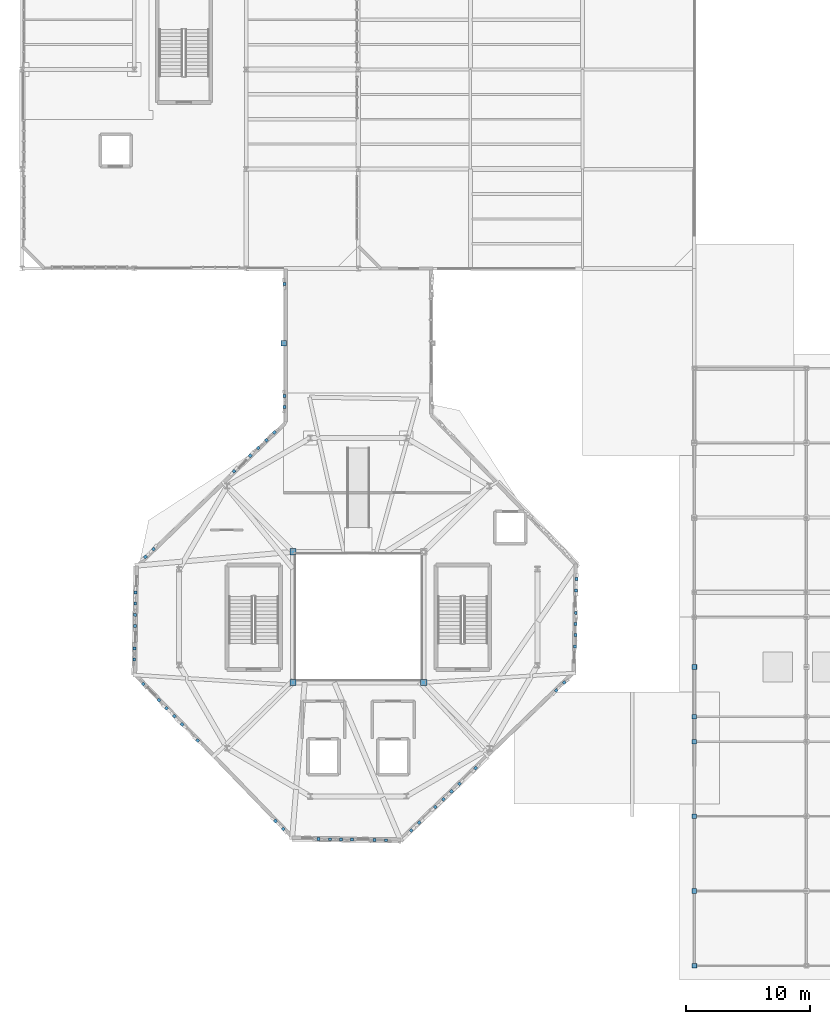
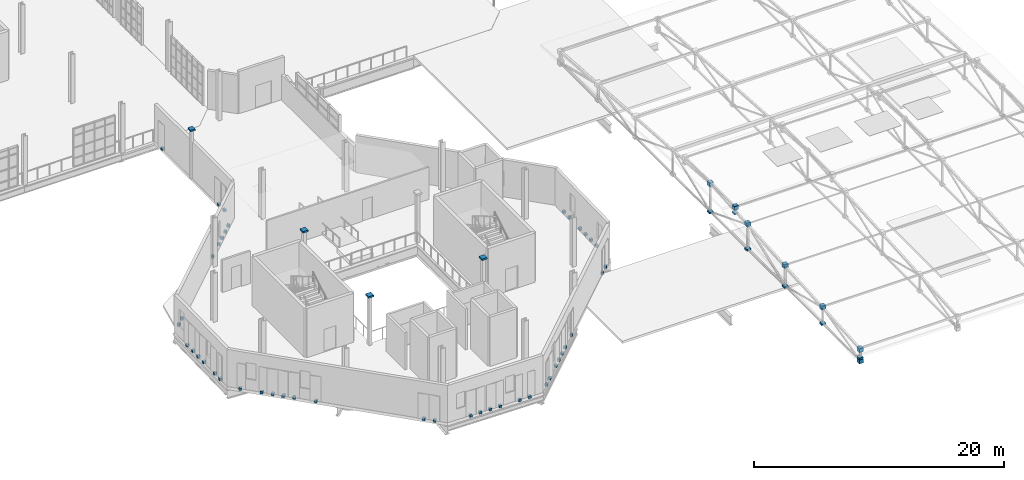
# One storey, part 77 of 85: 65 discrete accessories.
"""IFC4 building model written with IfcOpenShell, lengths in metres."""

from ifc_helpers import new_model, si_unit, direction, frame, origin, place, context, subcontext, project, spatial, polyline, outline, extrude, material, type_object, element, save


model = new_model("IFC4")

# Units and contexts
model_context = context("Model", 3, precision=1e-05, world=origin(), true_north=direction((0.0, 1.0)))
body_context = subcontext(model_context, "Body", "Model", "MODEL_VIEW")
ifc_project = project(units=[si_unit("LENGTHUNIT", "METRE"), si_unit("AREAUNIT", "SQUARE_METRE"), si_unit("VOLUMEUNIT", "CUBIC_METRE"), si_unit("PLANEANGLEUNIT", "RADIAN"), si_unit("MASSUNIT", "GRAM", prefix="KILO"), si_unit("THERMODYNAMICTEMPERATUREUNIT", "KELVIN"), si_unit("POWERUNIT", "WATT")], contexts=[model_context])

# Site, building, storey
site_placement = place(None, origin())
site = spatial("IfcSite", under=ifc_project, at=site_placement, CompositionType="ELEMENT")
building_placement = place(site_placement, origin())
building = spatial("IfcBuilding", under=site, at=building_placement, Name="Zelmaris Science Centre", CompositionType="ELEMENT")
storey_placement = place(building_placement, frame((0.0, 0.0, 20.39990234375)))
storey = spatial("IfcBuildingStorey", under=building, at=storey_placement, Name="L04", CompositionType="ELEMENT", Elevation=20.39990234375)

# Discrete accessories
ifc_material_1 = material(Name="Galvanised steel ASTM A500 Grade B", Category="steel")
discrete_accessory_type_1 = type_object("IfcDiscreteAccessoryType", Name="Facade Bracket BK-01", PredefinedType="BRACKET", material=ifc_material_1)
discrete_accessory_1_placement = place(storey_placement, frame((0.0, 0.0, -0.139892578125)))
element("IfcDiscreteAccessory", 1, at=discrete_accessory_1_placement, inside=storey, type_object=discrete_accessory_type_1, Name="L04 Facade anchorage bracket 177", PredefinedType="BRACKET", context=body_context, shape_type="SweptSolid", body=[
    extrude(outline(polyline([(98.402099609375, 39.17529296875), (98.39794921875, 38.935302734375), (98.62939453125, 38.93115234375), (98.6337890625, 39.171142578125), (98.402099609375, 39.17529296875)])), origin(), (0.0, 0.0, 1.0), 0.239990234375),
])
discrete_accessory_2_placement = place(storey_placement, frame((0.0, 0.0, -0.139892578125)))
element("IfcDiscreteAccessory", 2, at=discrete_accessory_2_placement, inside=storey, type_object=discrete_accessory_type_1, Name="L04 Facade anchorage bracket 178", PredefinedType="BRACKET", context=body_context, shape_type="SweptSolid", body=[
    extrude(outline(polyline([(98.386474609375, 38.275390625), (98.382080078125, 38.035400390625), (98.61376953125, 38.031494140625), (98.617919921875, 38.271240234375), (98.386474609375, 38.275390625)])), origin(), (0.0, 0.0, 1.0), 0.239990234375),
])
discrete_accessory_3_placement = place(storey_placement, frame((0.0, 0.0, -0.139892578125)))
element("IfcDiscreteAccessory", 3, at=discrete_accessory_3_placement, inside=storey, type_object=discrete_accessory_type_1, Name="L04 Facade anchorage bracket 179", PredefinedType="BRACKET", context=body_context, shape_type="SweptSolid", body=[
    extrude(outline(polyline([(98.35498046875, 36.4755859375), (98.350830078125, 36.235595703125), (98.58251953125, 36.231689453125), (98.586669921875, 36.4716796875), (98.35498046875, 36.4755859375)])), origin(), (0.0, 0.0, 1.0), 0.239990234375),
])
discrete_accessory_4_placement = place(storey_placement, frame((0.0, 0.0, -0.139892578125)))
element("IfcDiscreteAccessory", 4, at=discrete_accessory_4_placement, inside=storey, type_object=discrete_accessory_type_1, Name="L04 Facade anchorage bracket 180", PredefinedType="BRACKET", context=body_context, shape_type="SweptSolid", body=[
    extrude(outline(polyline([(98.33935546875, 35.57568359375), (98.335205078125, 35.335693359375), (98.566650390625, 35.331787109375), (98.57080078125, 35.57177734375), (98.33935546875, 35.57568359375)])), origin(), (0.0, 0.0, 1.0), 0.239990234375),
])
discrete_accessory_5_placement = place(storey_placement, frame((0.0, 0.0, -0.139892578125)))
element("IfcDiscreteAccessory", 5, at=discrete_accessory_5_placement, inside=storey, type_object=discrete_accessory_type_1, Name="L04 Facade anchorage bracket 181", PredefinedType="BRACKET", context=body_context, shape_type="SweptSolid", body=[
    extrude(outline(polyline([(98.323486328125, 34.67578125), (98.3193359375, 34.43603515625), (98.551025390625, 34.431884765625), (98.55517578125, 34.671875), (98.323486328125, 34.67578125)])), origin(), (0.0, 0.0, 1.0), 0.239990234375),
])
discrete_accessory_6_placement = place(storey_placement, frame((0.0, 0.0, -0.139892578125)))
element("IfcDiscreteAccessory", 6, at=discrete_accessory_6_placement, inside=storey, type_object=discrete_accessory_type_1, Name="L04 Facade anchorage bracket 182", PredefinedType="BRACKET", context=body_context, shape_type="SweptSolid", body=[
    extrude(outline(polyline([(98.307861328125, 33.776123046875), (98.3037109375, 33.5361328125), (98.53515625, 33.531982421875), (98.539306640625, 33.77197265625), (98.307861328125, 33.776123046875)])), origin(), (0.0, 0.0, 1.0), 0.239990234375),
])
discrete_accessory_7_placement = place(storey_placement, frame((0.0, 0.0, -0.139892578125)))
element("IfcDiscreteAccessory", 7, at=discrete_accessory_7_placement, inside=storey, type_object=discrete_accessory_type_1, Name="L04 Facade anchorage bracket 183", PredefinedType="BRACKET", context=body_context, shape_type="SweptSolid", body=[
    extrude(outline(polyline([(97.552490234375, 30.91259765625), (97.3798828125, 30.74560546875), (97.541015625, 30.5791015625), (97.71337890625, 30.745849609375), (97.552490234375, 30.91259765625)])), origin(), (0.0, 0.0, 1.0), 0.239990234375),
])
discrete_accessory_8_placement = place(storey_placement, frame((0.0, 0.0, -0.139892578125)))
element("IfcDiscreteAccessory", 8, at=discrete_accessory_8_placement, inside=storey, type_object=discrete_accessory_type_1, Name="L04 Facade anchorage bracket 184", PredefinedType="BRACKET", context=body_context, shape_type="SweptSolid", body=[
    extrude(outline(polyline([(96.9052734375, 30.287353515625), (96.732666015625, 30.12060546875), (96.8935546875, 29.953857421875), (97.066162109375, 30.12060546875), (96.9052734375, 30.287353515625)])), origin(), (0.0, 0.0, 1.0), 0.239990234375),
])
discrete_accessory_9_placement = place(storey_placement, frame((0.0, 0.0, -0.139892578125)))
element("IfcDiscreteAccessory", 9, at=discrete_accessory_9_placement, inside=storey, type_object=discrete_accessory_type_1, Name="L04 Facade anchorage bracket 185", PredefinedType="BRACKET", context=body_context, shape_type="SweptSolid", body=[
    extrude(outline(polyline([(90.43115234375, 24.035400390625), (90.258544921875, 23.86865234375), (90.41943359375, 23.701904296875), (90.592041015625, 23.86865234375), (90.43115234375, 24.035400390625)])), origin(), (0.0, 0.0, 1.0), 0.239990234375),
])
discrete_accessory_10_placement = place(storey_placement, frame((0.0, 0.0, -0.139892578125)))
element("IfcDiscreteAccessory", 10, at=discrete_accessory_10_placement, inside=storey, type_object=discrete_accessory_type_1, Name="L04 Facade anchorage bracket 186", PredefinedType="BRACKET", context=body_context, shape_type="SweptSolid", body=[
    extrude(outline(polyline([(89.136474609375, 22.784912109375), (88.9638671875, 22.6181640625), (89.12451171875, 22.45166015625), (89.29736328125, 22.618408203125), (89.136474609375, 22.784912109375)])), origin(), (0.0, 0.0, 1.0), 0.239990234375),
])
discrete_accessory_11_placement = place(storey_placement, frame((0.0, 0.0, -0.139892578125)))
element("IfcDiscreteAccessory", 11, at=discrete_accessory_11_placement, inside=storey, type_object=discrete_accessory_type_1, Name="L04 Facade anchorage bracket 187", PredefinedType="BRACKET", context=body_context, shape_type="SweptSolid", body=[
    extrude(outline(polyline([(88.489013671875, 22.15966796875), (88.31640625, 21.992919921875), (88.477294921875, 21.826416015625), (88.64990234375, 21.9931640625), (88.489013671875, 22.15966796875)])), origin(), (0.0, 0.0, 1.0), 0.239990234375),
])
discrete_accessory_12_placement = place(storey_placement, frame((0.0, 0.0, -0.139892578125)))
element("IfcDiscreteAccessory", 12, at=discrete_accessory_12_placement, inside=storey, type_object=discrete_accessory_type_1, Name="L04 Facade anchorage bracket 188", PredefinedType="BRACKET", context=body_context, shape_type="SweptSolid", body=[
    extrude(outline(polyline([(87.841552734375, 21.534423828125), (87.6689453125, 21.367919921875), (87.829833984375, 21.201171875), (88.00244140625, 21.367919921875), (87.841552734375, 21.534423828125)])), origin(), (0.0, 0.0, 1.0), 0.239990234375),
])
discrete_accessory_13_placement = place(storey_placement, frame((0.0, 0.0, -0.139892578125)))
element("IfcDiscreteAccessory", 13, at=discrete_accessory_13_placement, inside=storey, type_object=discrete_accessory_type_1, Name="L04 Facade anchorage bracket 189", PredefinedType="BRACKET", context=body_context, shape_type="SweptSolid", body=[
    extrude(outline(polyline([(87.194091796875, 20.9091796875), (87.021484375, 20.74267578125), (87.182373046875, 20.575927734375), (87.35498046875, 20.74267578125), (87.194091796875, 20.9091796875)])), origin(), (0.0, 0.0, 1.0), 0.239990234375),
])
discrete_accessory_14_placement = place(storey_placement, frame((0.0, 0.0, -0.139892578125)))
element("IfcDiscreteAccessory", 14, at=discrete_accessory_14_placement, inside=storey, type_object=discrete_accessory_type_1, Name="L04 Facade anchorage bracket 190", PredefinedType="BRACKET", context=body_context, shape_type="SweptSolid", body=[
    extrude(outline(polyline([(85.8994140625, 19.658935546875), (85.726806640625, 19.4921875), (85.8876953125, 19.32568359375), (86.060302734375, 19.492431640625), (85.8994140625, 19.658935546875)])), origin(), (0.0, 0.0, 1.0), 0.239990234375),
])
discrete_accessory_15_placement = place(storey_placement, frame((0.0, 0.0, -0.139892578125)))
element("IfcDiscreteAccessory", 15, at=discrete_accessory_15_placement, inside=storey, type_object=discrete_accessory_type_1, Name="L04 Facade anchorage bracket 191", PredefinedType="BRACKET", context=body_context, shape_type="SweptSolid", body=[
    extrude(outline(polyline([(85.251953125, 19.03369140625), (85.079345703125, 18.866943359375), (85.240234375, 18.700439453125), (85.412841796875, 18.8671875), (85.251953125, 19.03369140625)])), origin(), (0.0, 0.0, 1.0), 0.239990234375),
])
discrete_accessory_16_placement = place(storey_placement, frame((0.0, 0.0, -0.139892578125)))
element("IfcDiscreteAccessory", 16, at=discrete_accessory_16_placement, inside=storey, type_object=discrete_accessory_type_1, Name="L04 Facade anchorage bracket 192", PredefinedType="BRACKET", context=body_context, shape_type="SweptSolid", body=[
    extrude(outline(polyline([(83.3310546875, 18.1923828125), (83.091064453125, 18.196533203125), (83.0869140625, 17.965087890625), (83.326904296875, 17.960693359375), (83.3310546875, 18.1923828125)])), origin(), (0.0, 0.0, 1.0), 0.239990234375),
])
discrete_accessory_17_placement = place(storey_placement, frame((0.0, 0.0, -0.139892578125)))
element("IfcDiscreteAccessory", 17, at=discrete_accessory_17_placement, inside=storey, type_object=discrete_accessory_type_1, Name="L04 Facade anchorage bracket 193", PredefinedType="BRACKET", context=body_context, shape_type="SweptSolid", body=[
    extrude(outline(polyline([(82.43115234375, 18.2080078125), (82.191162109375, 18.21240234375), (82.187255859375, 17.980712890625), (82.427001953125, 17.9765625), (82.43115234375, 18.2080078125)])), origin(), (0.0, 0.0, 1.0), 0.239990234375),
])
discrete_accessory_18_placement = place(storey_placement, frame((0.0, 0.0, -0.139892578125)))
element("IfcDiscreteAccessory", 18, at=discrete_accessory_18_placement, inside=storey, type_object=discrete_accessory_type_1, Name="L04 Facade anchorage bracket 194", PredefinedType="BRACKET", context=body_context, shape_type="SweptSolid", body=[
    extrude(outline(polyline([(80.63134765625, 18.239501953125), (80.3916015625, 18.24365234375), (80.387451171875, 18.01220703125), (80.62744140625, 18.0078125), (80.63134765625, 18.239501953125)])), origin(), (0.0, 0.0, 1.0), 0.239990234375),
])
discrete_accessory_19_placement = place(storey_placement, frame((0.0, 0.0, -0.139892578125)))
element("IfcDiscreteAccessory", 19, at=discrete_accessory_19_placement, inside=storey, type_object=discrete_accessory_type_1, Name="L04 Facade anchorage bracket 195", PredefinedType="BRACKET", context=body_context, shape_type="SweptSolid", body=[
    extrude(outline(polyline([(79.731689453125, 18.255126953125), (79.49169921875, 18.259521484375), (79.487548828125, 18.02783203125), (79.7275390625, 18.023681640625), (79.731689453125, 18.255126953125)])), origin(), (0.0, 0.0, 1.0), 0.239990234375),
])
discrete_accessory_20_placement = place(storey_placement, frame((0.0, 0.0, -0.139892578125)))
element("IfcDiscreteAccessory", 20, at=discrete_accessory_20_placement, inside=storey, type_object=discrete_accessory_type_1, Name="L04 Facade anchorage bracket 196", PredefinedType="BRACKET", context=body_context, shape_type="SweptSolid", body=[
    extrude(outline(polyline([(78.831787109375, 18.27099609375), (78.591796875, 18.275146484375), (78.587646484375, 18.04345703125), (78.82763671875, 18.039306640625), (78.831787109375, 18.27099609375)])), origin(), (0.0, 0.0, 1.0), 0.239990234375),
])
discrete_accessory_21_placement = place(storey_placement, frame((0.0, 0.0, -0.139892578125)))
element("IfcDiscreteAccessory", 21, at=discrete_accessory_21_placement, inside=storey, type_object=discrete_accessory_type_1, Name="L04 Facade anchorage bracket 197", PredefinedType="BRACKET", context=body_context, shape_type="SweptSolid", body=[
    extrude(outline(polyline([(77.931884765625, 18.28662109375), (77.69189453125, 18.290771484375), (77.687744140625, 18.059326171875), (77.927734375, 18.05517578125), (77.931884765625, 18.28662109375)])), origin(), (0.0, 0.0, 1.0), 0.239990234375),
])
discrete_accessory_22_placement = place(storey_placement, frame((0.0, 0.0, -0.139892578125)))
element("IfcDiscreteAccessory", 22, at=discrete_accessory_22_placement, inside=storey, type_object=discrete_accessory_type_1, Name="L04 Facade anchorage bracket 198", PredefinedType="BRACKET", context=body_context, shape_type="SweptSolid", body=[
    extrude(outline(polyline([(75.1376953125, 18.969970703125), (74.970947265625, 19.142578125), (74.804443359375, 18.981689453125), (74.97119140625, 18.80908203125), (75.1376953125, 18.969970703125)])), origin(), (0.0, 0.0, 1.0), 0.239990234375),
])
discrete_accessory_23_placement = place(storey_placement, frame((0.0, 0.0, -0.139892578125)))
element("IfcDiscreteAccessory", 23, at=discrete_accessory_23_placement, inside=storey, type_object=discrete_accessory_type_1, Name="L04 Facade anchorage bracket 199", PredefinedType="BRACKET", context=body_context, shape_type="SweptSolid", body=[
    extrude(outline(polyline([(74.5126953125, 19.6171875), (74.345703125, 19.789794921875), (74.17919921875, 19.629150390625), (74.345947265625, 19.456298828125), (74.5126953125, 19.6171875)])), origin(), (0.0, 0.0, 1.0), 0.239990234375),
])
discrete_accessory_24_placement = place(storey_placement, frame((0.0, 0.0, -0.139892578125)))
element("IfcDiscreteAccessory", 24, at=discrete_accessory_24_placement, inside=storey, type_object=discrete_accessory_type_1, Name="L04 Facade anchorage bracket 200", PredefinedType="BRACKET", context=body_context, shape_type="SweptSolid", body=[
    extrude(outline(polyline([(68.260498046875, 26.09130859375), (68.093994140625, 26.263916015625), (67.92724609375, 26.10302734375), (68.093994140625, 25.930419921875), (68.260498046875, 26.09130859375)])), origin(), (0.0, 0.0, 1.0), 0.239990234375),
])
discrete_accessory_25_placement = place(storey_placement, frame((0.0, 0.0, -0.139892578125)))
element("IfcDiscreteAccessory", 25, at=discrete_accessory_25_placement, inside=storey, type_object=discrete_accessory_type_1, Name="L04 Facade anchorage bracket 201", PredefinedType="BRACKET", context=body_context, shape_type="SweptSolid", body=[
    extrude(outline(polyline([(67.01025390625, 27.38623046875), (66.843505859375, 27.558837890625), (66.677001953125, 27.39794921875), (66.843505859375, 27.225341796875), (67.01025390625, 27.38623046875)])), origin(), (0.0, 0.0, 1.0), 0.239990234375),
])
discrete_accessory_26_placement = place(storey_placement, frame((0.0, 0.0, -0.139892578125)))
element("IfcDiscreteAccessory", 26, at=discrete_accessory_26_placement, inside=storey, type_object=discrete_accessory_type_1, Name="L04 Facade anchorage bracket 202", PredefinedType="BRACKET", context=body_context, shape_type="SweptSolid", body=[
    extrude(outline(polyline([(66.385009765625, 28.03369140625), (66.21826171875, 28.206298828125), (66.0517578125, 28.04541015625), (66.218505859375, 27.872802734375), (66.385009765625, 28.03369140625)])), origin(), (0.0, 0.0, 1.0), 0.239990234375),
])
discrete_accessory_27_placement = place(storey_placement, frame((0.0, 0.0, -0.139892578125)))
element("IfcDiscreteAccessory", 27, at=discrete_accessory_27_placement, inside=storey, type_object=discrete_accessory_type_1, Name="L04 Facade anchorage bracket 203", PredefinedType="BRACKET", context=body_context, shape_type="SweptSolid", body=[
    extrude(outline(polyline([(65.759765625, 28.680908203125), (65.593017578125, 28.853515625), (65.426513671875, 28.692626953125), (65.59326171875, 28.52001953125), (65.759765625, 28.680908203125)])), origin(), (0.0, 0.0, 1.0), 0.239990234375),
])
discrete_accessory_28_placement = place(storey_placement, frame((0.0, 0.0, -0.139892578125)))
element("IfcDiscreteAccessory", 28, at=discrete_accessory_28_placement, inside=storey, type_object=discrete_accessory_type_1, Name="L04 Facade anchorage bracket 204", PredefinedType="BRACKET", context=body_context, shape_type="SweptSolid", body=[
    extrude(outline(polyline([(65.134521484375, 29.328369140625), (64.968017578125, 29.5009765625), (64.80126953125, 29.340087890625), (64.968017578125, 29.16748046875), (65.134521484375, 29.328369140625)])), origin(), (0.0, 0.0, 1.0), 0.239990234375),
])
discrete_accessory_29_placement = place(storey_placement, frame((0.0, 0.0, -0.139892578125)))
element("IfcDiscreteAccessory", 29, at=discrete_accessory_29_placement, inside=storey, type_object=discrete_accessory_type_1, Name="L04 Facade anchorage bracket 205", PredefinedType="BRACKET", context=body_context, shape_type="SweptSolid", body=[
    extrude(outline(polyline([(63.88427734375, 30.623291015625), (63.717529296875, 30.7958984375), (63.55078125, 30.635009765625), (63.7177734375, 30.46240234375), (63.88427734375, 30.623291015625)])), origin(), (0.0, 0.0, 1.0), 0.239990234375),
])
discrete_accessory_30_placement = place(storey_placement, frame((0.0, 0.0, -0.139892578125)))
element("IfcDiscreteAccessory", 30, at=discrete_accessory_30_placement, inside=storey, type_object=discrete_accessory_type_1, Name="L04 Facade anchorage bracket 206", PredefinedType="BRACKET", context=body_context, shape_type="SweptSolid", body=[
    extrude(outline(polyline([(63.1123046875, 32.47216796875), (63.116455078125, 32.712158203125), (62.885009765625, 32.71630859375), (62.880859375, 32.476318359375), (63.1123046875, 32.47216796875)])), origin(), (0.0, 0.0, 1.0), 0.239990234375),
])
discrete_accessory_31_placement = place(storey_placement, frame((0.0, 0.0, -0.139892578125)))
element("IfcDiscreteAccessory", 31, at=discrete_accessory_31_placement, inside=storey, type_object=discrete_accessory_type_1, Name="L04 Facade anchorage bracket 207", PredefinedType="BRACKET", context=body_context, shape_type="SweptSolid", body=[
    extrude(outline(polyline([(63.1279296875, 33.3720703125), (63.132080078125, 33.612060546875), (62.900634765625, 33.615966796875), (62.896484375, 33.376220703125), (63.1279296875, 33.3720703125)])), origin(), (0.0, 0.0, 1.0), 0.239990234375),
])
discrete_accessory_32_placement = place(storey_placement, frame((0.0, 0.0, -0.139892578125)))
element("IfcDiscreteAccessory", 32, at=discrete_accessory_32_placement, inside=storey, type_object=discrete_accessory_type_1, Name="L04 Facade anchorage bracket 208", PredefinedType="BRACKET", context=body_context, shape_type="SweptSolid", body=[
    extrude(outline(polyline([(63.159423828125, 35.171875), (63.16357421875, 35.41162109375), (62.93212890625, 35.415771484375), (62.927978515625, 35.17578125), (63.159423828125, 35.171875)])), origin(), (0.0, 0.0, 1.0), 0.239990234375),
])
discrete_accessory_33_placement = place(storey_placement, frame((0.0, 0.0, -0.139892578125)))
element("IfcDiscreteAccessory", 33, at=discrete_accessory_33_placement, inside=storey, type_object=discrete_accessory_type_1, Name="L04 Facade anchorage bracket 209", PredefinedType="BRACKET", context=body_context, shape_type="SweptSolid", body=[
    extrude(outline(polyline([(63.17529296875, 36.071533203125), (63.17919921875, 36.3115234375), (62.94775390625, 36.315673828125), (62.943603515625, 36.07568359375), (63.17529296875, 36.071533203125)])), origin(), (0.0, 0.0, 1.0), 0.239990234375),
])
discrete_accessory_34_placement = place(storey_placement, frame((0.0, 0.0, -0.139892578125)))
element("IfcDiscreteAccessory", 34, at=discrete_accessory_34_placement, inside=storey, type_object=discrete_accessory_type_1, Name="L04 Facade anchorage bracket 210", PredefinedType="BRACKET", context=body_context, shape_type="SweptSolid", body=[
    extrude(outline(polyline([(63.19091796875, 36.971435546875), (63.195068359375, 37.21142578125), (62.96337890625, 37.215576171875), (62.959228515625, 36.9755859375), (63.19091796875, 36.971435546875)])), origin(), (0.0, 0.0, 1.0), 0.239990234375),
])
discrete_accessory_35_placement = place(storey_placement, frame((0.0, 0.0, -0.139892578125)))
element("IfcDiscreteAccessory", 35, at=discrete_accessory_35_placement, inside=storey, type_object=discrete_accessory_type_1, Name="L04 Facade anchorage bracket 211", PredefinedType="BRACKET", context=body_context, shape_type="SweptSolid", body=[
    extrude(outline(polyline([(63.20654296875, 37.871337890625), (63.210693359375, 38.111328125), (62.979248046875, 38.115478515625), (62.97509765625, 37.87548828125), (63.20654296875, 37.871337890625)])), origin(), (0.0, 0.0, 1.0), 0.239990234375),
])
discrete_accessory_36_placement = place(storey_placement, frame((0.0, 0.0, -0.139892578125)))
element("IfcDiscreteAccessory", 36, at=discrete_accessory_36_placement, inside=storey, type_object=discrete_accessory_type_1, Name="L04 Facade anchorage bracket 212", PredefinedType="BRACKET", context=body_context, shape_type="SweptSolid", body=[
    extrude(outline(polyline([(63.8955078125, 40.67138671875), (64.068115234375, 40.837890625), (63.906982421875, 41.004638671875), (63.734619140625, 40.837890625), (63.8955078125, 40.67138671875)])), origin(), (0.0, 0.0, 1.0), 0.239990234375),
])
discrete_accessory_37_placement = place(storey_placement, frame((0.0, 0.0, -0.139892578125)))
element("IfcDiscreteAccessory", 37, at=discrete_accessory_37_placement, inside=storey, type_object=discrete_accessory_type_1, Name="L04 Facade anchorage bracket 213", PredefinedType="BRACKET", context=body_context, shape_type="SweptSolid", body=[
    extrude(outline(polyline([(64.54248046875, 41.296630859375), (64.715087890625, 41.46337890625), (64.55419921875, 41.6298828125), (64.381591796875, 41.463134765625), (64.54248046875, 41.296630859375)])), origin(), (0.0, 0.0, 1.0), 0.239990234375),
])
discrete_accessory_38_placement = place(storey_placement, frame((0.0, 0.0, -0.139892578125)))
element("IfcDiscreteAccessory", 38, at=discrete_accessory_38_placement, inside=storey, type_object=discrete_accessory_type_1, Name="L04 Facade anchorage bracket 214", PredefinedType="BRACKET", context=body_context, shape_type="SweptSolid", body=[
    extrude(outline(polyline([(71.014892578125, 47.55029296875), (71.1875, 47.71728515625), (71.026611328125, 47.8837890625), (70.85400390625, 47.717041015625), (71.014892578125, 47.55029296875)])), origin(), (0.0, 0.0, 1.0), 0.239990234375),
])
discrete_accessory_39_placement = place(storey_placement, frame((0.0, 0.0, -0.139892578125)))
element("IfcDiscreteAccessory", 39, at=discrete_accessory_39_placement, inside=storey, type_object=discrete_accessory_type_1, Name="L04 Facade anchorage bracket 215", PredefinedType="BRACKET", context=body_context, shape_type="SweptSolid", body=[
    extrude(outline(polyline([(72.309326171875, 48.80126953125), (72.48193359375, 48.968017578125), (72.321044921875, 49.134521484375), (72.1484375, 48.9677734375), (72.309326171875, 48.80126953125)])), origin(), (0.0, 0.0, 1.0), 0.239990234375),
])
discrete_accessory_40_placement = place(storey_placement, frame((0.0, 0.0, -0.139892578125)))
element("IfcDiscreteAccessory", 40, at=discrete_accessory_40_placement, inside=storey, type_object=discrete_accessory_type_1, Name="L04 Facade anchorage bracket 216", PredefinedType="BRACKET", context=body_context, shape_type="SweptSolid", body=[
    extrude(outline(polyline([(72.95654296875, 49.426513671875), (73.129150390625, 49.59326171875), (72.96826171875, 49.760009765625), (72.795654296875, 49.593017578125), (72.95654296875, 49.426513671875)])), origin(), (0.0, 0.0, 1.0), 0.239990234375),
])
discrete_accessory_41_placement = place(storey_placement, frame((0.0, 0.0, -0.139892578125)))
element("IfcDiscreteAccessory", 41, at=discrete_accessory_41_placement, inside=storey, type_object=discrete_accessory_type_1, Name="L04 Facade anchorage bracket 217", PredefinedType="BRACKET", context=body_context, shape_type="SweptSolid", body=[
    extrude(outline(polyline([(73.603759765625, 50.052001953125), (73.7763671875, 50.21875), (73.615478515625, 50.38525390625), (73.44287109375, 50.218505859375), (73.603759765625, 50.052001953125)])), origin(), (0.0, 0.0, 1.0), 0.239990234375),
])
discrete_accessory_42_placement = place(storey_placement, frame((0.0, 0.0, -0.139892578125)))
element("IfcDiscreteAccessory", 42, at=discrete_accessory_42_placement, inside=storey, type_object=discrete_accessory_type_1, Name="L04 Facade anchorage bracket 218", PredefinedType="BRACKET", context=body_context, shape_type="SweptSolid", body=[
    extrude(outline(polyline([(74.2509765625, 50.67724609375), (74.423583984375, 50.843994140625), (74.2626953125, 51.010498046875), (74.090087890625, 50.84375), (74.2509765625, 50.67724609375)])), origin(), (0.0, 0.0, 1.0), 0.239990234375),
])
discrete_accessory_43_placement = place(storey_placement, frame((0.0, 0.0, -0.139892578125)))
element("IfcDiscreteAccessory", 43, at=discrete_accessory_43_placement, inside=storey, type_object=discrete_accessory_type_1, Name="L04 Facade anchorage bracket 219", PredefinedType="BRACKET", context=body_context, shape_type="SweptSolid", body=[
    extrude(outline(polyline([(75.194580078125, 52.75390625), (75.194580078125, 52.993896484375), (74.962890625, 52.993896484375), (74.963134765625, 52.75390625), (75.194580078125, 52.75390625)])), origin(), (0.0, 0.0, 1.0), 0.239990234375),
])
discrete_accessory_44_placement = place(storey_placement, frame((0.0, 0.0, -0.139892578125)))
element("IfcDiscreteAccessory", 44, at=discrete_accessory_44_placement, inside=storey, type_object=discrete_accessory_type_1, Name="L04 Facade anchorage bracket 220", PredefinedType="BRACKET", context=body_context, shape_type="SweptSolid", body=[
    extrude(outline(polyline([(75.1943359375, 53.654052734375), (75.194091796875, 53.89404296875), (74.962646484375, 53.893798828125), (74.962646484375, 53.65380859375), (75.1943359375, 53.654052734375)])), origin(), (0.0, 0.0, 1.0), 0.239990234375),
])
discrete_accessory_45_placement = place(storey_placement, frame((0.0, 0.0, -0.139892578125)))
element("IfcDiscreteAccessory", 45, at=discrete_accessory_45_placement, inside=storey, type_object=discrete_accessory_type_1, Name="L04 Facade anchorage bracket 221", PredefinedType="BRACKET", context=body_context, shape_type="SweptSolid", body=[
    extrude(outline(polyline([(75.1904296875, 62.654052734375), (75.190185546875, 62.89404296875), (74.958740234375, 62.893798828125), (74.958740234375, 62.65380859375), (75.1904296875, 62.654052734375)])), origin(), (0.0, 0.0, 1.0), 0.239990234375),
])
ifc_material_2 = material(Name="Steel ASTM A500 Grade C", Category="steel")
discrete_accessory_type_2 = type_object("IfcDiscreteAccessoryType", Name="Hollow Section End Cap Plate BK-ECP", PredefinedType="BRACKET", material=ifc_material_2)
discrete_accessory_46_placement = place(storey_placement, frame((0.0, 0.0, 4.72705078125)))
element("IfcDiscreteAccessory", 46, at=discrete_accessory_46_placement, inside=storey, type_object=discrete_accessory_type_2, Name="End cap plate 7", PredefinedType="BRACKET", context=body_context, shape_type="SweptSolid", body=[
    extrude(outline(polyline([(75.502197265625, 30.502197265625), (75.997802734375, 30.502197265625), (75.997802734375, 30.997802734375), (75.502197265625, 30.997802734375), (75.502197265625, 30.502197265625)])), origin(), (0.0, 0.0, 1.0), 0.157958984375),
])
discrete_accessory_47_placement = place(storey_placement, frame((0.0, 0.0, 4.72705078125)))
element("IfcDiscreteAccessory", 47, at=discrete_accessory_47_placement, inside=storey, type_object=discrete_accessory_type_2, Name="End cap plate 15", PredefinedType="BRACKET", context=body_context, shape_type="SweptSolid", body=[
    extrude(outline(polyline([(86.002197265625, 30.502197265625), (86.497802734375, 30.502197265625), (86.497802734375, 30.997802734375), (86.002197265625, 30.997802734375), (86.002197265625, 30.502197265625)])), origin(), (0.0, 0.0, 1.0), 0.157958984375),
])
discrete_accessory_48_placement = place(storey_placement, frame((0.0, 0.0, 4.72705078125)))
element("IfcDiscreteAccessory", 48, at=discrete_accessory_48_placement, inside=storey, type_object=discrete_accessory_type_2, Name="End cap plate 31", PredefinedType="BRACKET", context=body_context, shape_type="SweptSolid", body=[
    extrude(outline(polyline([(75.502197265625, 41.002197265625), (75.997802734375, 41.002197265625), (75.997802734375, 41.497802734375), (75.502197265625, 41.497802734375), (75.502197265625, 41.002197265625)])), origin(), (0.0, 0.0, 1.0), 0.157958984375),
])
discrete_accessory_49_placement = place(storey_placement, frame((0.0, 0.0, 4.72705078125)))
element("IfcDiscreteAccessory", 49, at=discrete_accessory_49_placement, inside=storey, type_object=discrete_accessory_type_2, Name="End cap plate 47", PredefinedType="BRACKET", context=body_context, shape_type="SweptSolid", body=[
    extrude(outline(polyline([(74.78076171875, 57.78076171875), (75.21923828125, 57.78076171875), (75.21923828125, 58.21923828125), (74.78076171875, 58.21923828125), (74.78076171875, 57.78076171875)])), origin(), (0.0, 0.0, 1.0), 0.157958984375),
])
discrete_accessory_50_placement = place(storey_placement, frame((0.0, 0.0, 0.7587890625)))
element("IfcDiscreteAccessory", 50, at=discrete_accessory_50_placement, inside=storey, type_object=discrete_accessory_type_2, Name="End cap plate 207", PredefinedType="BRACKET", context=body_context, shape_type="SweptSolid", body=[
    extrude(outline(polyline([(107.81103515625, 7.804931640625), (108.18896484375, 7.804931640625), (108.18896484375, 8.18310546875), (107.81103515625, 8.18310546875), (107.81103515625, 7.804931640625)])), origin(), (0.0, 0.0, 1.0), 0.378173828125),
])
discrete_accessory_51_placement = place(storey_placement, frame((0.0, 0.0, 1.856689453125)))
element("IfcDiscreteAccessory", 51, at=discrete_accessory_51_placement, inside=storey, type_object=discrete_accessory_type_2, Name="End cap plate 209", PredefinedType="BRACKET", context=body_context, shape_type="SweptSolid", body=[
    extrude(outline(polyline([(107.80908203125, 7.80322265625), (108.19091796875, 7.80322265625), (108.19091796875, 8.184814453125), (107.80908203125, 8.184814453125), (107.80908203125, 7.80322265625)])), origin(), (0.0, 0.0, 1.0), 0.381591796875),
])
discrete_accessory_52_placement = place(storey_placement, frame((0.0, 0.0, 3.507568359375)))
element("IfcDiscreteAccessory", 52, at=discrete_accessory_52_placement, inside=storey, type_object=discrete_accessory_type_2, Name="End cap plate 210", PredefinedType="BRACKET", context=body_context, shape_type="SweptSolid", body=[
    extrude(outline(polyline([(107.80908203125, 31.815185546875), (108.19091796875, 31.815185546875), (108.19091796875, 32.19677734375), (107.80908203125, 32.19677734375), (107.80908203125, 31.815185546875)])), origin(), (0.0, 0.0, 1.0), 0.381591796875),
])
discrete_accessory_53_placement = place(storey_placement, frame((0.0, 0.0, 0.86279296875)))
element("IfcDiscreteAccessory", 53, at=discrete_accessory_53_placement, inside=storey, type_object=discrete_accessory_type_2, Name="End cap plate 212", PredefinedType="BRACKET", context=body_context, shape_type="SweptSolid", body=[
    extrude(outline(polyline([(107.81103515625, 13.81103515625), (108.18896484375, 13.81103515625), (108.18896484375, 14.18896484375), (107.81103515625, 14.18896484375), (107.81103515625, 13.81103515625)])), origin(), (0.0, 0.0, 1.0), 0.158203125),
])
discrete_accessory_54_placement = place(storey_placement, frame((0.0, 0.0, 2.387451171875)))
element("IfcDiscreteAccessory", 54, at=discrete_accessory_54_placement, inside=storey, type_object=discrete_accessory_type_2, Name="End cap plate 213", PredefinedType="BRACKET", context=body_context, shape_type="SweptSolid", body=[
    extrude(outline(polyline([(107.81103515625, 13.81103515625), (108.18896484375, 13.81103515625), (108.18896484375, 14.18896484375), (107.81103515625, 14.18896484375), (107.81103515625, 13.81103515625)])), origin(), (0.0, 0.0, 1.0), 0.157958984375),
])
for number, where, name in (
    (55, (0.0, 0.0, 0.86279296875), "End cap plate 214"),
    (56, (0.0, 0.0, 2.7998046875), "End cap plate 215"),
):
    element("IfcDiscreteAccessory", number, at=place(storey_placement, frame(where)), inside=storey, type_object=discrete_accessory_type_2, Name=name, PredefinedType="BRACKET", context=body_context, shape_type="SweptSolid", body=[
        extrude(outline(polyline([(107.81103515625, 19.81103515625), (108.18896484375, 19.81103515625), (108.18896484375, 20.18896484375), (107.81103515625, 20.18896484375), (107.81103515625, 19.81103515625)])), origin(), (0.0, 0.0, 1.0), 0.158203125),
    ])
discrete_accessory_55_placement = place(storey_placement, frame((0.0, 0.0, 0.86279296875)))
element("IfcDiscreteAccessory", 57, at=discrete_accessory_55_placement, inside=storey, type_object=discrete_accessory_type_2, Name="End cap plate 216", PredefinedType="BRACKET", context=body_context, shape_type="SweptSolid", body=[
    extrude(outline(polyline([(107.81103515625, 25.81103515625), (108.18896484375, 25.81103515625), (108.18896484375, 26.18896484375), (107.81103515625, 26.18896484375), (107.81103515625, 25.81103515625)])), origin(), (0.0, 0.0, 1.0), 0.158203125),
])
discrete_accessory_56_placement = place(storey_placement, frame((0.0, 0.0, 3.21240234375)))
element("IfcDiscreteAccessory", 58, at=discrete_accessory_56_placement, inside=storey, type_object=discrete_accessory_type_2, Name="End cap plate 217", PredefinedType="BRACKET", context=body_context, shape_type="SweptSolid", body=[
    extrude(outline(polyline([(107.81103515625, 25.81103515625), (108.18896484375, 25.81103515625), (108.18896484375, 26.18896484375), (107.81103515625, 26.18896484375), (107.81103515625, 25.81103515625)])), origin(), (0.0, 0.0, 1.0), 0.157958984375),
])
discrete_accessory_57_placement = place(storey_placement, frame((0.0, 0.0, 0.86279296875)))
element("IfcDiscreteAccessory", 59, at=discrete_accessory_57_placement, inside=storey, type_object=discrete_accessory_type_2, Name="End cap plate 218", PredefinedType="BRACKET", context=body_context, shape_type="SweptSolid", body=[
    extrude(outline(polyline([(107.81103515625, 31.81103515625), (108.18896484375, 31.81103515625), (108.18896484375, 32.18896484375), (107.81103515625, 32.18896484375), (107.81103515625, 31.81103515625)])), origin(), (0.0, 0.0, 1.0), 0.158203125),
])
discrete_accessory_58_placement = place(storey_placement, frame((0.0, 0.0, 1.1650390625)))
element("IfcDiscreteAccessory", 60, at=discrete_accessory_58_placement, inside=storey, type_object=discrete_accessory_type_2, Name="End cap plate 225", PredefinedType="BRACKET", context=body_context, shape_type="SweptSolid", body=[
    extrude(outline(polyline([(107.80908203125, 7.80908203125), (108.19091796875, 7.80908203125), (108.19091796875, 8.19091796875), (107.80908203125, 8.19091796875), (107.80908203125, 7.80908203125)])), origin(), (0.0, 0.0, 1.0), 0.157958984375),
])
discrete_accessory_59_placement = place(storey_placement, frame((0.0, 0.0, 2.379150390625)))
element("IfcDiscreteAccessory", 61, at=discrete_accessory_59_placement, inside=storey, type_object=discrete_accessory_type_2, Name="End cap plate 287", PredefinedType="BRACKET", context=body_context, shape_type="SweptSolid", body=[
    extrude(outline(polyline([(107.804931640625, 13.81103515625), (108.18310546875, 13.81103515625), (108.18310546875, 14.18896484375), (107.804931640625, 14.18896484375), (107.804931640625, 13.81103515625)])), origin(), (0.0, 0.0, 1.0), 0.3779296875),
])
discrete_accessory_60_placement = place(storey_placement, frame((0.0, 0.0, 2.80419921875)))
element("IfcDiscreteAccessory", 62, at=discrete_accessory_60_placement, inside=storey, type_object=discrete_accessory_type_2, Name="End cap plate 289", PredefinedType="BRACKET", context=body_context, shape_type="SweptSolid", body=[
    extrude(outline(polyline([(107.804931640625, 19.81103515625), (108.18310546875, 19.81103515625), (108.18310546875, 20.18896484375), (107.804931640625, 20.18896484375), (107.804931640625, 19.81103515625)])), origin(), (0.0, 0.0, 1.0), 0.378173828125),
])
discrete_accessory_61_placement = place(storey_placement, frame((0.0, 0.0, 3.2294921875)))
element("IfcDiscreteAccessory", 63, at=discrete_accessory_61_placement, inside=storey, type_object=discrete_accessory_type_2, Name="End cap plate 291", PredefinedType="BRACKET", context=body_context, shape_type="SweptSolid", body=[
    extrude(outline(polyline([(107.804931640625, 25.81103515625), (108.18310546875, 25.81103515625), (108.18310546875, 26.18896484375), (107.804931640625, 26.18896484375), (107.804931640625, 25.81103515625)])), origin(), (0.0, 0.0, 1.0), 0.3779296875),
])
discrete_accessory_62_placement = place(storey_placement, frame((0.0, 0.0, 3.64111328125)))
element("IfcDiscreteAccessory", 64, at=discrete_accessory_62_placement, inside=storey, type_object=discrete_accessory_type_2, Name="End cap plate 307", PredefinedType="BRACKET", context=body_context, shape_type="SweptSolid", body=[
    extrude(outline(polyline([(107.804931640625, 27.81103515625), (108.18310546875, 27.81103515625), (108.18310546875, 28.18896484375), (107.804931640625, 28.18896484375), (107.804931640625, 27.81103515625)])), origin(), (0.0, 0.0, 1.0), 0.3779296875),
])
discrete_accessory_63_placement = place(storey_placement, frame((0.0, 0.0, 3.199462890625)))
element("IfcDiscreteAccessory", 65, at=discrete_accessory_63_placement, inside=storey, type_object=discrete_accessory_type_2, Name="End cap plate 309", PredefinedType="BRACKET", context=body_context, shape_type="SweptSolid", body=[
    extrude(outline(polyline([(107.81103515625, 27.81103515625), (108.18896484375, 27.81103515625), (108.18896484375, 28.18896484375), (107.81103515625, 28.18896484375), (107.81103515625, 27.81103515625)])), origin(), (0.0, 0.0, 1.0), 0.157958984375),
])

save(model, "model.ifc")
